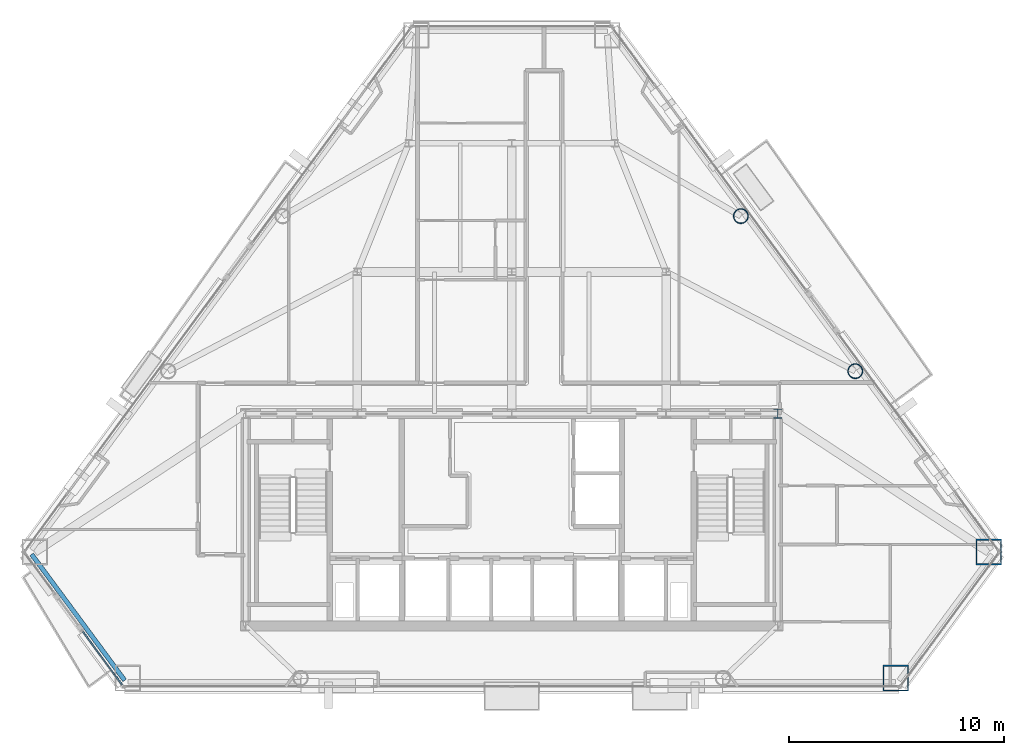
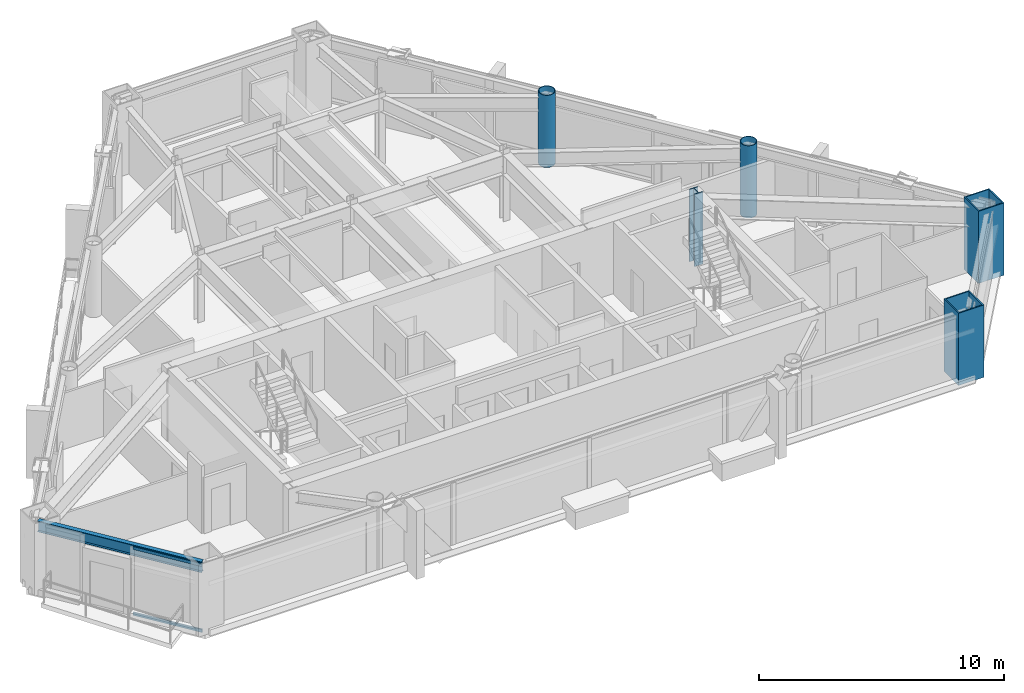
# One storey, part 2 of 11: 5 columns, 2 members, 1 beam, 1 element without a shape of its own.
"""IFC4 building model written with IfcOpenShell, lengths in metres."""

from ifc_helpers import new_model, si_unit, direction, frame, origin, origin_2d, place, context, subcontext, project, spatial, rectangle, hollow_rectangle, hollow_circle, i_section, extrude, material, layer, layer_set, material_profile, profile_set, type_object, element, aggregate, save


model = new_model("IFC4")

# Units and contexts
model_context = context("Model", 3, precision=1e-05, world=origin(), true_north=direction((0.0, 1.0)))
body_context = subcontext(model_context, "Body", "Model", "MODEL_VIEW")
ifc_project = project(units=[si_unit("LENGTHUNIT", "METRE"), si_unit("AREAUNIT", "SQUARE_METRE"), si_unit("VOLUMEUNIT", "CUBIC_METRE"), si_unit("PLANEANGLEUNIT", "RADIAN"), si_unit("MASSUNIT", "GRAM", prefix="KILO")], contexts=[model_context])

# Site, building, storey
site_placement = place(None, origin())
site = spatial("IfcSite", under=ifc_project, at=site_placement, CompositionType="ELEMENT")
building_placement = place(site_placement, origin())
building = spatial("IfcBuilding", under=site, at=building_placement, Name="Talgorran Terracotta Tower", CompositionType="ELEMENT")
storey_placement = place(building_placement, frame((0.0, 0.0, 158.10009765625)))
storey = spatial("IfcBuildingStorey", under=building, at=storey_placement, Name="L41", CompositionType="ELEMENT", Elevation=158.10009765625)

# Columns
ifc_material_1 = material(Name="Steel S355 (300PLUS)", Category="steel")
ifc_material_profile_1 = material_profile(ifc_material_1, i_section(OverallWidth=0.39990234375, OverallDepth=0.43994140625, WebThickness=0.028076171875, FlangeThickness=0.0400390625, at=origin_2d()), Name="400WC328")
ifc_profile_set_1 = profile_set([ifc_material_profile_1], Name="Steel S355 (300PLUS)")
column_type_1 = type_object("IfcColumnType", Name="COL_400WC328", PredefinedType="COLUMN", material=ifc_profile_set_1)
column_placement = place(storey_placement, frame((12.39990234375, -4.199951171875, 0.0), z_axis=(0.0, 0.0, 1.0), x_axis=(1.0, 0.0, 0.0)))
element("IfcColumn", 1, at=column_placement, inside=storey, type_object=column_type_1, Name="L41 Core Boundary Column CC3", PredefinedType="COLUMN", context=body_context, shape_type="SweptSolid", body=[
    extrude(i_section(OverallWidth=0.39990234375, OverallDepth=0.43994140625, WebThickness=0.028076171875, FlangeThickness=0.0400390625, at=origin_2d()), origin(), (0.0, 0.0, 1.0), 3.599853515625),
])
ifc_material_2 = material(Name="Steel Grade 350 (350L0)", Category="steel")
ifc_material_profile_2 = material_profile(ifc_material_2, hollow_rectangle(XDim=1.199951171875, YDim=1.199951171875, WallThickness=0.054931640625, at=origin_2d()), Name="CFT1200X1200X55")
ifc_profile_set_2 = profile_set([ifc_material_profile_2], Name="Steel Grade 350 (350L0)")
column_type_2 = type_object("IfcColumnType", Name="COL_CFT_1200", PredefinedType="COLUMN", material=ifc_profile_set_2)
for number, where, z_axis, x_axis, name in (
    (2, (17.898193359375, -16.530029296875, 0.0), (0.0, 0.0, 1.0), (1.0, 0.0, 0.0), "L41 Corner CFT Mega-Column MC3"),
    (3, (22.234130859375, -10.654541015625, 0.0), (0.0, 0.0, 1.0), (1.0, 0.0, 0.0), "L41 Corner CFT Mega-Column MC4"),
):
    element("IfcColumn", number, at=place(storey_placement, frame(where, z_axis=z_axis, x_axis=x_axis)), inside=storey, type_object=column_type_2, Name=name, PredefinedType="COLUMN", context=body_context, shape_type="SweptSolid", body=[
        extrude(hollow_rectangle(XDim=1.199951171875, YDim=1.199951171875, WallThickness=0.054931640625, at=origin_2d()), origin(), (0.0, 0.0, 1.0), 3.599853515625),
    ])
ifc_material_profile_3 = material_profile(ifc_material_2, hollow_circle(Radius=0.35009765625, WallThickness=0.030029296875, at=origin_2d()), Name="CHS700X30")
ifc_profile_set_3 = profile_set([ifc_material_profile_3], Name="Steel Grade 350 (350L0)")
column_type_3 = type_object("IfcColumnType", Name="COL_CHS_700", PredefinedType="COLUMN", material=ifc_profile_set_3)
for number, where, z_axis, x_axis, name in (
    (4, (16.01220703125, -2.223388671875, 0.0), (0.0, 0.0, 1.0), (1.0, 0.0, 0.0), "L41 Facet Perimeter Column FC3"),
    (5, (10.67919921875, 5.00341796875, 0.0), (0.0, 0.0, 1.0), (1.0, 0.0, 0.0), "L41 Facet Perimeter Column FC4"),
):
    element("IfcColumn", number, at=place(storey_placement, frame(where, z_axis=z_axis, x_axis=x_axis)), inside=storey, type_object=column_type_3, Name=name, PredefinedType="COLUMN", context=body_context, shape_type="SweptSolid", body=[
        extrude(hollow_circle(Radius=0.35009765625, WallThickness=0.030029296875, at=origin_2d()), origin(), (0.0, 0.0, 1.0), 3.599853515625),
    ])

# Beam
ifc_material_profile_4 = material_profile(ifc_material_1, i_section(OverallWidth=0.209228515625, OverallDepth=0.532958984375, WebThickness=0.01025390625, FlangeThickness=0.015625, at=origin_2d()), Name="530UB92.4")
ifc_profile_set_4 = profile_set([ifc_material_profile_4], Name="Steel S355 (300PLUS)")
beam_type = type_object("IfcBeamType", Name="BM_SP_530UB92", PredefinedType="SPANDREL", material=ifc_profile_set_4)
beam_placement = place(storey_placement, frame((-22.37890625, -10.761474609375, 3.08349609375), z_axis=(0.593765719161, -0.804637974961, 0.0), x_axis=(0.804637974961, 0.593765719161, 0.0)))
element("IfcBeam", 6, at=beam_placement, inside=storey, type_object=beam_type, Name="L41 Perimeter Spandrel Beam MC1-MC2", PredefinedType="SPANDREL", context=body_context, shape_type="SweptSolid", body=[
    extrude(i_section(OverallWidth=0.209228515625, OverallDepth=0.532958984375, WebThickness=0.01025390625, FlangeThickness=0.015625, at=origin_2d()), origin(), (0.0, 0.0, 1.0), 7.302001953125),
])

# Curtain wall, members
ifc_material_3 = material(Name="Unitised Low-E Double Glazing", Category="glass")
ifc_layer = layer(ifc_material_3, 0.199951171875, Name="CW_SYS2_RES_LOW")
ifc_layer_set = layer_set([ifc_layer], Name="Unitised Low-E Double Glazing")
curtain_wall_type = type_object("IfcCurtainWallType", Name="CW_SYS2_RES_LOW", PredefinedType="NOTDEFINED", material=ifc_layer_set)
curtain_wall_placement = place(storey_placement, origin())
curtain_wall = element("IfcCurtainWall", 7, at=curtain_wall_placement, inside=storey, type_object=curtain_wall_type, Name="CW-L41-F11", PredefinedType="NOTDEFINED")
ifc_material_4 = material(Name="Architectural Aluminium 6063-T6", Category="aluminium")
ifc_material_profile_5 = material_profile(ifc_material_4, rectangle(XDim=0.06494140625, YDim=0.14990234375, at=origin_2d()), Name="CWT65X150")
ifc_profile_set_5 = profile_set([ifc_material_profile_5], Name="Architectural Aluminium 6063-T6")
member_type = type_object("IfcMemberType", Name="TRN_65X150", PredefinedType="USERDEFINED", material=ifc_profile_set_5)
member_1_placement = place(storey_placement, frame((-19.98828125, -14.37158203125, 0.032470703125), z_axis=(0.593794773641, -0.804616534007, 0.0), x_axis=(0.804616534007, 0.593794773641, 0.0)))
member_1 = element("IfcMember", 8, at=member_1_placement, type_object=member_type, Name="CW-L41-11 transom 1.1", ObjectType="TRANSOM", PredefinedType="USERDEFINED", context=body_context, shape_type="SweptSolid", body=[
    extrude(rectangle(XDim=0.06494140625, YDim=0.14990234375, at=origin_2d()), origin(), (0.0, 0.0, 1.0), 3.07470703125),
])
member_2_placement = place(storey_placement, frame((-19.98828125, -14.37158203125, 3.3173828125), z_axis=(0.593794773641, -0.804616534007, 0.0), x_axis=(0.804616534007, 0.593794773641, 0.0)))
member_2 = element("IfcMember", 9, at=member_2_placement, type_object=member_type, Name="CW-L41-11 transom 1.2", ObjectType="TRANSOM", PredefinedType="USERDEFINED", context=body_context, shape_type="SweptSolid", body=[
    extrude(rectangle(XDim=0.06494140625, YDim=0.14990234375, at=origin_2d()), origin(), (0.0, 0.0, 1.0), 3.07470703125),
])
aggregate(curtain_wall, [member_1, member_2])

save(model, "model.ifc")
